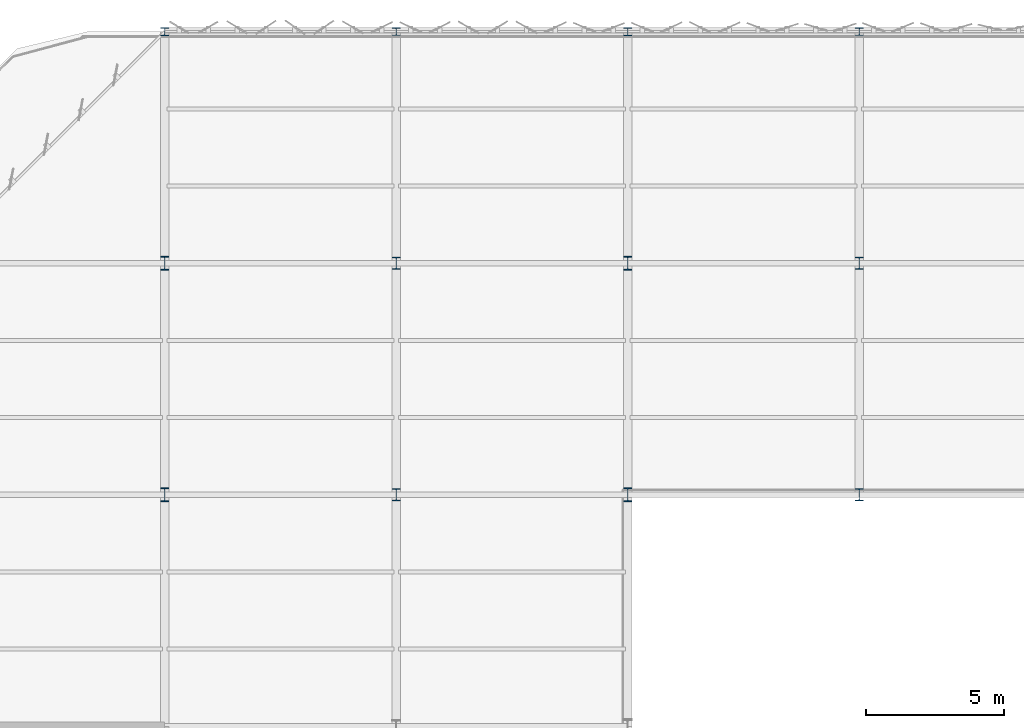
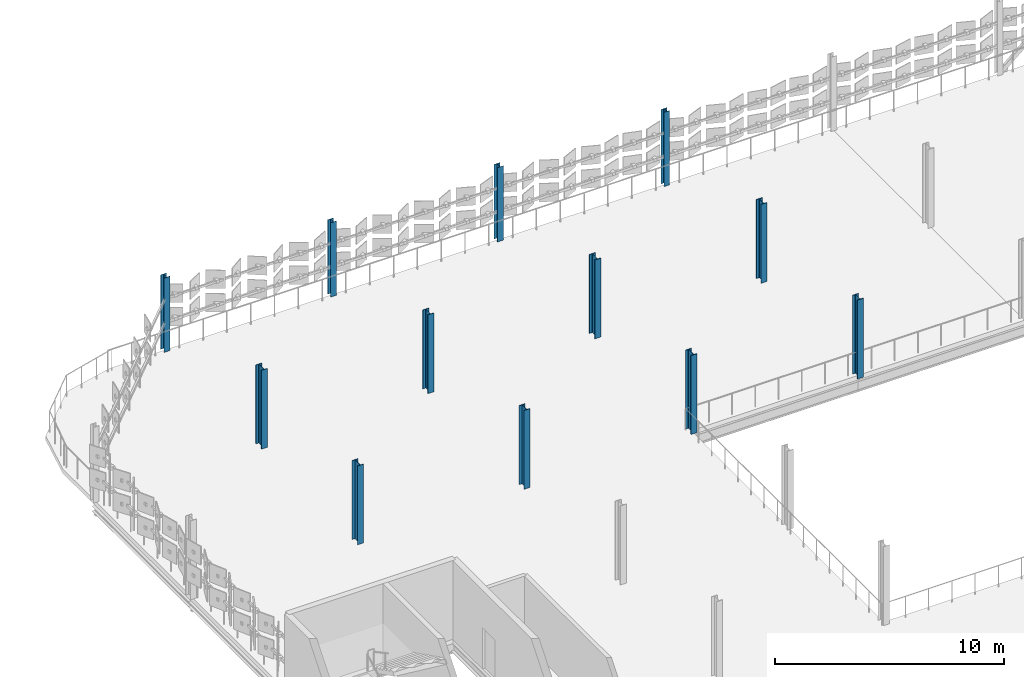
# One storey, part 8 of 69: 12 columns.
"""IFC4 building model written with IfcOpenShell, lengths in metres."""

from ifc_helpers import new_model, si_unit, direction, frame, origin, origin_2d, place, context, subcontext, project, spatial, i_section, extrude, material, material_profile, profile_set, type_object, element, save


model = new_model("IFC4")

# Units and contexts
model_context = context("Model", 3, precision=1e-05, world=origin(), true_north=direction((0.0, 1.0)))
body_context = subcontext(model_context, "Body", "Model", "MODEL_VIEW")
ifc_project = project(units=[si_unit("LENGTHUNIT", "METRE"), si_unit("AREAUNIT", "SQUARE_METRE"), si_unit("VOLUMEUNIT", "CUBIC_METRE"), si_unit("PLANEANGLEUNIT", "RADIAN"), si_unit("MASSUNIT", "GRAM", prefix="KILO")], contexts=[model_context])

# Site, building, storey
site_placement = place(None, origin())
site = spatial("IfcSite", under=ifc_project, at=site_placement, CompositionType="ELEMENT")
building_placement = place(site_placement, origin())
building = spatial("IfcBuilding", under=site, at=building_placement, Name="Qalvenar Corner Mobility Hub", CompositionType="ELEMENT")
storey_placement = place(building_placement, frame((0.0, 0.0, 13.199951171875)))
storey = spatial("IfcBuildingStorey", under=building, at=storey_placement, Name="L03", CompositionType="ELEMENT", Elevation=13.199951171875)

# Columns
ifc_material = material(Name="Steel S355", Category="steel")
ifc_material_profile_1 = material_profile(ifc_material, i_section(OverallWidth=0.280029296875, OverallDepth=0.27001953125, WebThickness=0.008056640625, FlangeThickness=0.012939453125, FilletRadius=0.02392578125, at=origin_2d()), Name="HEA280")
ifc_profile_set_1 = profile_set([ifc_material_profile_1], Name="Steel S355")
column_type_1 = type_object("IfcColumnType", Name="COL-HEA280", PredefinedType="COLUMN", material=ifc_profile_set_1)
for number, where, z_axis, x_axis, name in (
    (1, (75.60009765625, 117.60009765625, 0.0), (0.0, 0.0, 1.0), (1.0, 0.0, 0.0), "Steel Column L03-G10-14"),
    (2, (92.39990234375, 117.60009765625, 0.0), (0.0, 0.0, 1.0), (1.0, 0.0, 0.0), "Steel Column L03-G12-14"),
):
    element("IfcColumn", number, at=place(storey_placement, frame(where, z_axis=z_axis, x_axis=x_axis)), inside=storey, type_object=column_type_1, Name=name, PredefinedType="COLUMN", context=body_context, shape_type="SweptSolid", body=[
        extrude(i_section(OverallWidth=0.280029296875, OverallDepth=0.27001953125, WebThickness=0.008056640625, FlangeThickness=0.012939453125, FilletRadius=0.02392578125, at=origin_2d()), origin(), (0.0, 0.0, 1.0), 3.9580078125),
    ])
ifc_material_profile_2 = material_profile(ifc_material, i_section(OverallWidth=0.300048828125, OverallDepth=0.300048828125, WebThickness=0.010986328125, FlangeThickness=0.01904296875, FilletRadius=0.027099609375, at=origin_2d()), Name="HEB300")
ifc_profile_set_2 = profile_set([ifc_material_profile_2], Name="Steel S355")
column_type_2 = type_object("IfcColumnType", Name="COL-HEB300", PredefinedType="COLUMN", material=ifc_profile_set_2)
for number, where, z_axis, x_axis, name in (
    (3, (67.199951171875, 117.60009765625, 0.0), (0.0, 0.0, 1.0), (1.0, 0.0, 0.0), "Steel Column L03-G9-14"),
    (4, (84.0, 117.60009765625, 0.0), (0.0, 0.0, 1.0), (1.0, 0.0, 0.0), "Steel Column L03-G11-14"),
):
    element("IfcColumn", number, at=place(storey_placement, frame(where, z_axis=z_axis, x_axis=x_axis)), inside=storey, type_object=column_type_2, Name=name, PredefinedType="COLUMN", context=body_context, shape_type="SweptSolid", body=[
        extrude(i_section(OverallWidth=0.300048828125, OverallDepth=0.300048828125, WebThickness=0.010986328125, FlangeThickness=0.01904296875, FilletRadius=0.027099609375, at=origin_2d()), origin(), (0.0, 0.0, 1.0), 3.9580078125),
    ])
ifc_material_profile_3 = material_profile(ifc_material, i_section(OverallWidth=0.300048828125, OverallDepth=0.449951171875, WebThickness=0.013916015625, FlangeThickness=0.02587890625, FilletRadius=0.027099609375, at=origin_2d()), Name="HEB450")
ifc_profile_set_3 = profile_set([ifc_material_profile_3], Name="Steel S355")
column_type_3 = type_object("IfcColumnType", Name="COL-HEB450", PredefinedType="COLUMN", material=ifc_profile_set_3)
for number, where, z_axis, x_axis, name in (
    (5, (75.60009765625, 100.800048828125, 0.0), (0.0, 0.0, 1.0), (1.0, 0.0, 0.0), "Steel Column L03-G10-12"),
    (6, (75.60009765625, 109.199951171875, 0.0), (0.0, 0.0, 1.0), (1.0, 0.0, 0.0), "Steel Column L03-G10-13"),
    (7, (92.39990234375, 100.800048828125, 0.0), (0.0, 0.0, 1.0), (1.0, 0.0, 0.0), "Steel Column L03-G12-12"),
    (8, (92.39990234375, 109.199951171875, 0.0), (0.0, 0.0, 1.0), (1.0, 0.0, 0.0), "Steel Column L03-G12-13"),
):
    element("IfcColumn", number, at=place(storey_placement, frame(where, z_axis=z_axis, x_axis=x_axis)), inside=storey, type_object=column_type_3, Name=name, PredefinedType="COLUMN", context=body_context, shape_type="SweptSolid", body=[
        extrude(i_section(OverallWidth=0.300048828125, OverallDepth=0.449951171875, WebThickness=0.013916015625, FlangeThickness=0.02587890625, FilletRadius=0.027099609375, at=origin_2d()), origin(), (0.0, 0.0, 1.0), 4.199951171875),
    ])
ifc_material_profile_4 = material_profile(ifc_material, i_section(OverallWidth=0.300048828125, OverallDepth=0.5, WebThickness=0.014404296875, FlangeThickness=0.028076171875, FilletRadius=0.027099609375, at=origin_2d()), Name="HEB500")
ifc_profile_set_4 = profile_set([ifc_material_profile_4], Name="Steel S355")
column_type_4 = type_object("IfcColumnType", Name="COL-HEB500", PredefinedType="COLUMN", material=ifc_profile_set_4)
for number, where, z_axis, x_axis, name in (
    (9, (67.199951171875, 100.800048828125, 0.0), (0.0, 0.0, 1.0), (1.0, 0.0, 0.0), "Steel Column L03-G9-12"),
    (10, (67.199951171875, 109.199951171875, 0.0), (0.0, 0.0, 1.0), (1.0, 0.0, 0.0), "Steel Column L03-G9-13"),
    (11, (84.0, 100.800048828125, 0.0), (0.0, 0.0, 1.0), (1.0, 0.0, 0.0), "Steel Column L03-G11-12"),
    (12, (84.0, 109.199951171875, 0.0), (0.0, 0.0, 1.0), (1.0, 0.0, 0.0), "Steel Column L03-G11-13"),
):
    element("IfcColumn", number, at=place(storey_placement, frame(where, z_axis=z_axis, x_axis=x_axis)), inside=storey, type_object=column_type_4, Name=name, PredefinedType="COLUMN", context=body_context, shape_type="SweptSolid", body=[
        extrude(i_section(OverallWidth=0.300048828125, OverallDepth=0.5, WebThickness=0.014404296875, FlangeThickness=0.028076171875, FilletRadius=0.027099609375, at=origin_2d()), origin(), (0.0, 0.0, 1.0), 4.199951171875),
    ])

save(model, "model.ifc")
